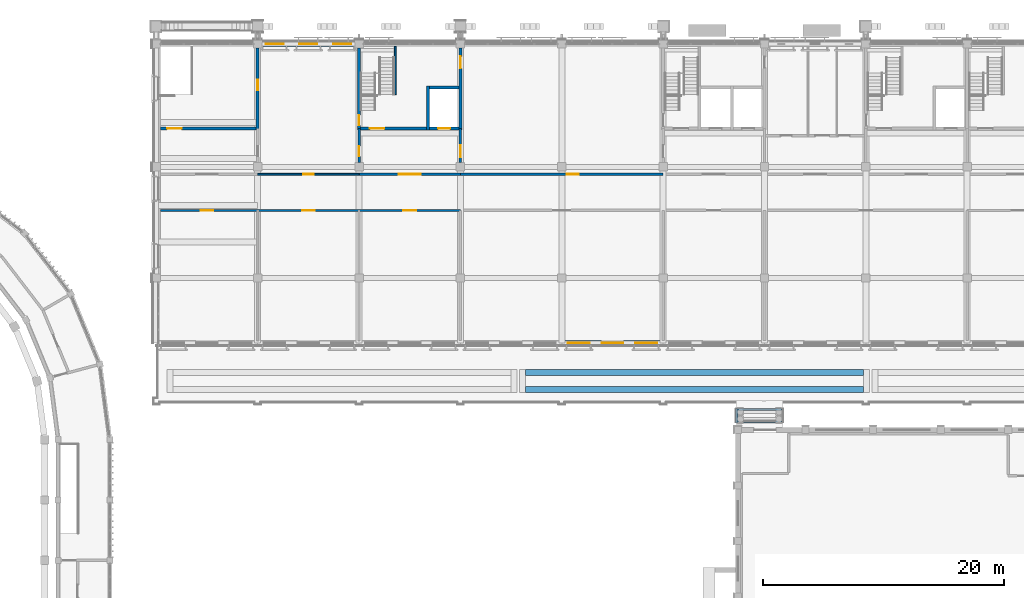
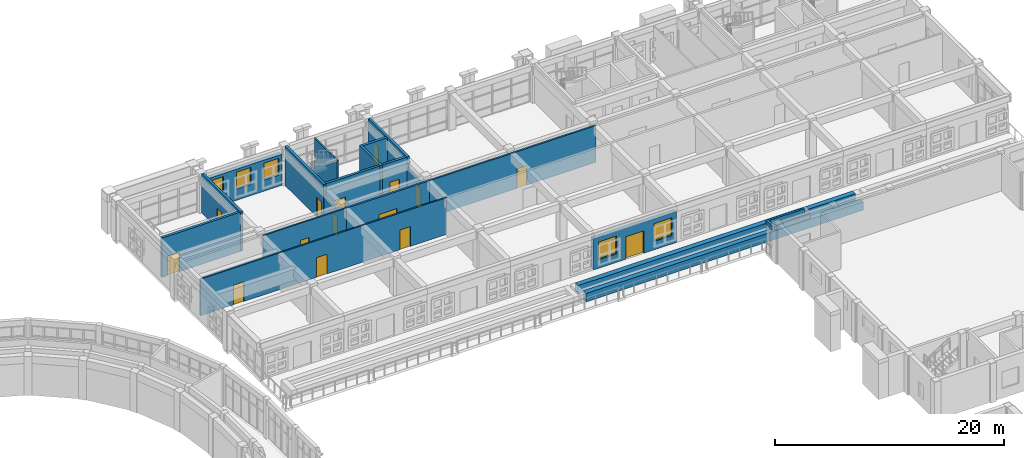
# One storey, part 64 of 99: 22 walls, 15 doors, 5 windows, 20 openings.
"""IFC4 building model written with IfcOpenShell, lengths in metres."""

from ifc_helpers import new_model, si_unit, direction, frame, frame_2d, origin, place, context, subcontext, project, spatial, rectangle, extrude, material, layer, layer_set, type_object, element, fill, save


model = new_model("IFC4")

# Units and contexts
model_context = context("Model", 3, precision=1e-05, world=origin(), true_north=direction((0.0, 1.0)))
body_context = subcontext(model_context, "Body", "Model", "MODEL_VIEW")
ifc_project = project(units=[si_unit("LENGTHUNIT", "METRE"), si_unit("AREAUNIT", "SQUARE_METRE"), si_unit("VOLUMEUNIT", "CUBIC_METRE"), si_unit("PLANEANGLEUNIT", "RADIAN"), si_unit("MASSUNIT", "GRAM", prefix="KILO")], contexts=[model_context])

# Site, building, storey
site_placement = place(None, origin())
site = spatial("IfcSite", under=ifc_project, at=site_placement, CompositionType="ELEMENT")
building_placement = place(site_placement, origin())
building = spatial("IfcBuilding", under=site, at=building_placement, Name="Wasatch Bagh Community Centre", CompositionType="ELEMENT")
storey_placement = place(building_placement, frame((0.0, 0.0, 4.199951171875)))
storey = spatial("IfcBuildingStorey", under=building, at=storey_placement, Name="L01", CompositionType="ELEMENT", Elevation=4.199951171875)

# Wall, opening, door
ifc_material_1 = material(Name="Concrete C40", Category="concrete")
ifc_layer_1 = layer(ifc_material_1, 0.25)
ifc_layer_set_1 = layer_set([ifc_layer_1], Name="Concrete C40")
wall_type_1 = type_object("IfcWallType", Name="LW core wall 250", PredefinedType="SHEAR", material=ifc_layer_set_1)
wall_1_placement = place(storey_placement, frame((64.35009765625, 90.800048828125, 0.0), z_axis=(0.0, 0.0, 1.0), x_axis=(1.0, 0.0, 0.0)))
wall_1 = element("IfcWall", 1, at=wall_1_placement, inside=storey, type_object=wall_type_1, Name="LW.swall.L01.01", PredefinedType="SHEAR", context=body_context, shape_type="SweptSolid", body=[
    extrude(rectangle(XDim=7.9248046875, YDim=0.25, at=frame_2d((3.96240234375, 0.0))), origin(), (0.0, 0.0, 1.0), 4.199951171875),
])
opening_1_placement = place(wall_1_placement, frame((0.550048828125, 0.0, 0.0)))
opening_1 = element("IfcOpeningElement", 2, at=opening_1_placement, cuts=wall_1, Name="Opening 1L-38", PredefinedType="OPENING", context=body_context, shape_type="SweptSolid", body=[
    extrude(rectangle(XDim=1.199951171875, YDim=2.10009765625, at=frame_2d((0.60009765625, 1.050048828125))), frame((0.0, 0.135009765625, 0.0), z_axis=(0.0, -1.0, 0.0), x_axis=(1.0, 0.0, 0.0)), (0.0, 0.0, 1.0), 0.27001953125),
])
ifc_material_2 = material(Name="Painted timber", Category="wood")
door_type_1 = type_object("IfcDoorType", Name="LW stair door 1200x2100", OperationType="SINGLE_SWING_LEFT", PredefinedType="DOOR", material=ifc_material_2)
door_1_placement = place(opening_1_placement, origin())
door_1 = element("IfcDoor", 3, at=door_1_placement, inside=storey, type_object=door_type_1, Name="Stair door 1L-38", OperationType="SINGLE_SWING_RIGHT", OverallHeight=2.10009765625, OverallWidth=1.199951171875, PredefinedType="DOOR", context=body_context, shape_type="SweptSolid", body=[
    extrude(rectangle(XDim=1.199951171875, YDim=2.10009765625, at=frame_2d((0.60009765625, 1.050048828125))), frame((0.0, 0.02490234375, 0.0), z_axis=(0.0, -1.0, 0.0), x_axis=(1.0, 0.0, 0.0)), (0.0, 0.0, 1.0), 0.050048828125),
])
fill(opening_1, door_1)

wall_2_placement = place(storey_placement, frame((80.925048828125, 90.800048828125, 0.0), z_axis=(0.0, 0.0, 1.0), x_axis=(1.0, 0.0, 0.0)))
wall_2 = element("IfcWall", 4, at=wall_2_placement, inside=storey, type_object=wall_type_1, Name="LW.swall.L01.02", PredefinedType="SHEAR", context=body_context, shape_type="SweptSolid", body=[
    extrude(rectangle(XDim=5.449951171875, YDim=0.25, at=frame_2d((2.72509765625, 0.0))), origin(), (0.0, 0.0, 1.0), 4.199951171875),
])
opening_2_placement = place(wall_2_placement, frame((0.77490234375, 0.0, 0.0)))
opening_2 = element("IfcOpeningElement", 5, at=opening_2_placement, cuts=wall_2, Name="Opening 1L-39", PredefinedType="OPENING", context=body_context, shape_type="SweptSolid", body=[
    extrude(rectangle(XDim=1.199951171875, YDim=2.10009765625, at=frame_2d((0.60009765625, 1.050048828125))), frame((0.0, 0.135009765625, 0.0), z_axis=(0.0, -1.0, 0.0), x_axis=(1.0, 0.0, 0.0)), (0.0, 0.0, 1.0), 0.27001953125),
])
door_2_placement = place(opening_2_placement, origin())
door_2 = element("IfcDoor", 6, at=door_2_placement, inside=storey, type_object=door_type_1, Name="Stair door 1L-39", OperationType="SINGLE_SWING_LEFT", OverallHeight=2.10009765625, OverallWidth=1.199951171875, PredefinedType="DOOR", context=body_context, shape_type="SweptSolid", body=[
    extrude(rectangle(XDim=1.199951171875, YDim=2.10009765625, at=frame_2d((0.60009765625, 1.050048828125))), frame((0.0, 0.02490234375, 0.0), z_axis=(0.0, -1.0, 0.0), x_axis=(1.0, 0.0, 0.0)), (0.0, 0.0, 1.0), 0.050048828125),
])
fill(opening_2, door_2)

wall_3_placement = place(storey_placement, frame((86.625, 90.800048828125, 0.0), z_axis=(0.0, 0.0, 1.0), x_axis=(1.0, 0.0, 0.0)))
wall_3 = element("IfcWall", 7, at=wall_3_placement, inside=storey, type_object=wall_type_1, Name="LW.swall.L01.03", PredefinedType="SHEAR", context=body_context, shape_type="SweptSolid", body=[
    extrude(rectangle(XDim=2.449951171875, YDim=0.25, at=frame_2d((1.22509765625, 0.0))), origin(), (0.0, 0.0, 1.0), 4.199951171875),
])
opening_3_placement = place(wall_3_placement, frame((0.72509765625, 0.0, 0.0)))
opening_3 = element("IfcOpeningElement", 8, at=opening_3_placement, cuts=wall_3, Name="Opening 1L-40", PredefinedType="OPENING", context=body_context, shape_type="SweptSolid", body=[
    extrude(rectangle(XDim=1.0, YDim=2.10009765625, at=frame_2d((0.5, 1.050048828125))), frame((0.0, 0.135009765625, 0.0), z_axis=(0.0, -1.0, 0.0), x_axis=(1.0, 0.0, 0.0)), (0.0, 0.0, 1.0), 0.27001953125),
])
ifc_material_3 = material(Name="Stainless steel landing door", Category="steel")
door_type_2 = type_object("IfcDoorType", Name="Lift landing door 1000 x 2100", OperationType="SLIDING_TO_LEFT", PredefinedType="DOOR", material=ifc_material_3)
door_3_placement = place(opening_3_placement, origin())
door_3 = element("IfcDoor", 9, at=door_3_placement, inside=storey, type_object=door_type_2, Name="Lift landing door LD 1L-40", OperationType="SLIDING_TO_LEFT", OverallHeight=2.10009765625, OverallWidth=1.0, PredefinedType="DOOR", context=body_context, shape_type="SweptSolid", body=[
    extrude(rectangle(XDim=1.0, YDim=2.10009765625, at=frame_2d((0.5, 1.050048828125))), frame((0.0, 0.02490234375, 0.0), z_axis=(0.0, -1.0, 0.0), x_axis=(1.0, 0.0, 0.0)), (0.0, 0.0, 1.0), 0.050048828125),
])
fill(opening_3, door_3)

# Wall
wall_4_placement = place(storey_placement, frame((86.625, 94.199951171875, 0.0), z_axis=(0.0, 0.0, 1.0), x_axis=(1.0, 0.0, 0.0)))
element("IfcWall", 10, at=wall_4_placement, inside=storey, type_object=wall_type_1, Name="LW.swall.L01.10", PredefinedType="SHEAR", context=body_context, shape_type="SweptSolid", body=[
    extrude(rectangle(XDim=2.449951171875, YDim=0.25, at=frame_2d((1.22509765625, 0.0))), origin(), (0.0, 0.0, 1.0), 4.199951171875),
])

# Wall, opening, door
wall_5_placement = place(storey_placement, frame((72.39990234375, 90.675048828125, 0.0), z_axis=(0.0, 0.0, 1.0), x_axis=(0.0, 1.0, 0.0)))
wall_5 = element("IfcWall", 11, at=wall_5_placement, inside=storey, type_object=wall_type_1, Name="LW.swall.L01.16", PredefinedType="SHEAR", context=body_context, shape_type="SweptSolid", body=[
    extrude(rectangle(XDim=6.77490234375, YDim=0.25, at=frame_2d((3.387451171875, 0.0))), origin(), (0.0, 0.0, 1.0), 4.199951171875),
])
opening_4_placement = place(wall_5_placement, frame((3.300048828125, 0.0, 0.0)))
opening_4 = element("IfcOpeningElement", 12, at=opening_4_placement, cuts=wall_5, Name="Opening 1L-19", PredefinedType="OPENING", context=body_context, shape_type="SweptSolid", body=[
    extrude(rectangle(XDim=0.85009765625, YDim=2.10009765625, at=frame_2d((0.425048828125, 1.050048828125))), frame((0.0, 0.135009765625, 0.0), z_axis=(0.0, -1.0, 0.0), x_axis=(1.0, 0.0, 0.0)), (0.0, 0.0, 1.0), 0.27001953125),
])
door_type_3 = type_object("IfcDoorType", Name="LW office door 850x2100", OperationType="SINGLE_SWING_LEFT", PredefinedType="DOOR", material=ifc_material_2)
door_4_placement = place(opening_4_placement, origin())
door_4 = element("IfcDoor", 13, at=door_4_placement, inside=storey, type_object=door_type_3, Name="Door Teachers' Staff Room 1L-19", OperationType="SINGLE_SWING_LEFT", OverallHeight=2.10009765625, OverallWidth=0.85009765625, PredefinedType="DOOR", context=body_context, shape_type="SweptSolid", body=[
    extrude(rectangle(XDim=0.85009765625, YDim=2.10009765625, at=frame_2d((0.425048828125, 1.050048828125))), frame((0.0, 0.02490234375, 0.0), z_axis=(0.0, -1.0, 0.0), x_axis=(1.0, 0.0, 0.0)), (0.0, 0.0, 1.0), 0.050048828125),
])
fill(opening_4, door_4)

wall_6_placement = place(storey_placement, frame((80.800048828125, 90.675048828125, 0.0), z_axis=(0.0, 0.0, 1.0), x_axis=(0.0, 1.0, 0.0)))
wall_6 = element("IfcWall", 14, at=wall_6_placement, inside=storey, type_object=wall_type_1, Name="LW.swall.L01.17", PredefinedType="SHEAR", context=body_context, shape_type="SweptSolid", body=[
    extrude(rectangle(XDim=6.77490234375, YDim=0.25, at=frame_2d((3.387451171875, 0.0))), origin(), (0.0, 0.0, 1.0), 4.199951171875),
])
opening_5_placement = place(wall_6_placement, frame((0.375, 0.0, 0.0)))
opening_5 = element("IfcOpeningElement", 15, at=opening_5_placement, cuts=wall_6, Name="Opening 1L-21", PredefinedType="OPENING", context=body_context, shape_type="SweptSolid", body=[
    extrude(rectangle(XDim=0.85009765625, YDim=2.10009765625, at=frame_2d((0.425048828125, 1.050048828125))), frame((0.0, 0.135009765625, 0.0), z_axis=(0.0, -1.0, 0.0), x_axis=(1.0, 0.0, 0.0)), (0.0, 0.0, 1.0), 0.27001953125),
])
door_5_placement = place(opening_5_placement, origin())
door_5 = element("IfcDoor", 16, at=door_5_placement, inside=storey, type_object=door_type_3, Name="Door Teachers' Staff Room 1L-21", OperationType="SINGLE_SWING_LEFT", OverallHeight=2.10009765625, OverallWidth=0.85009765625, PredefinedType="DOOR", context=body_context, shape_type="SweptSolid", body=[
    extrude(rectangle(XDim=0.85009765625, YDim=2.10009765625, at=frame_2d((0.425048828125, 1.050048828125))), frame((0.0, 0.02490234375, 0.0), z_axis=(0.0, -1.0, 0.0), x_axis=(1.0, 0.0, 0.0)), (0.0, 0.0, 1.0), 0.050048828125),
])
fill(opening_5, door_5)

# Wall
wall_7_placement = place(storey_placement, frame((86.5, 90.675048828125, 0.0), z_axis=(0.0, 0.0, 1.0), x_axis=(0.0, 1.0, 0.0)))
element("IfcWall", 17, at=wall_7_placement, inside=storey, type_object=wall_type_1, Name="LW.swall.L01.18", PredefinedType="SHEAR", context=body_context, shape_type="SweptSolid", body=[
    extrude(rectangle(XDim=3.64990234375, YDim=0.25, at=frame_2d((1.824951171875, 0.0))), origin(), (0.0, 0.0, 1.0), 4.199951171875),
])

# Wall, opening, door
wall_8_placement = place(storey_placement, frame((89.199951171875, 90.675048828125, 0.0), z_axis=(0.0, 0.0, 1.0), x_axis=(0.0, 1.0, 0.0)))
wall_8 = element("IfcWall", 18, at=wall_8_placement, inside=storey, type_object=wall_type_1, Name="LW.swall.L01.19", PredefinedType="SHEAR", context=body_context, shape_type="SweptSolid", body=[
    extrude(rectangle(XDim=6.77490234375, YDim=0.25, at=frame_2d((3.387451171875, 0.0))), origin(), (0.0, 0.0, 1.0), 4.199951171875),
])
opening_6_placement = place(wall_8_placement, frame((5.10009765625, 0.0, 0.0)))
opening_6 = element("IfcOpeningElement", 19, at=opening_6_placement, cuts=wall_8, Name="Opening 1L-24", PredefinedType="OPENING", context=body_context, shape_type="SweptSolid", body=[
    extrude(rectangle(XDim=1.0, YDim=2.10009765625, at=frame_2d((0.5, 1.050048828125))), frame((0.0, 0.135009765625, 0.0), z_axis=(0.0, -1.0, 0.0), x_axis=(1.0, 0.0, 0.0)), (0.0, 0.0, 1.0), 0.27001953125),
])
door_type_4 = type_object("IfcDoorType", Name="LW door 1000x2100", OperationType="SINGLE_SWING_LEFT", PredefinedType="DOOR", material=ifc_material_2)
door_6_placement = place(opening_6_placement, origin())
door_6 = element("IfcDoor", 20, at=door_6_placement, inside=storey, type_object=door_type_4, Name="Door Library Study Room 1L-24", OperationType="SINGLE_SWING_RIGHT", OverallHeight=2.10009765625, OverallWidth=1.0, PredefinedType="DOOR", context=body_context, shape_type="SweptSolid", body=[
    extrude(rectangle(XDim=1.0, YDim=2.10009765625, at=frame_2d((0.5, 1.050048828125))), frame((0.0, 0.02490234375, 0.0), z_axis=(0.0, -1.0, 0.0), x_axis=(1.0, 0.0, 0.0)), (0.0, 0.0, 1.0), 0.050048828125),
])
fill(opening_6, door_6)

# Wall, openings, door, windows
ifc_material_4 = material(Name="Concrete C35", Category="concrete")
ifc_layer_2 = layer(ifc_material_4, 0.39990234375)
ifc_layer_set_2 = layer_set([ifc_layer_2], Name="Concrete C35")
wall_type_2 = type_object("IfcWallType", Name="LW facade wall 400", PredefinedType="SOLIDWALL", material=ifc_layer_set_2)
wall_9_placement = place(storey_placement, frame((97.60009765625, 73.0, 0.0), z_axis=(0.0, 0.0, 1.0), x_axis=(1.0, 0.0, 0.0)))
wall_9 = element("IfcWall", 21, at=wall_9_placement, inside=storey, type_object=wall_type_2, Name="Facade wall", PredefinedType="SOLIDWALL", context=body_context, shape_type="SweptSolid", body=[
    extrude(rectangle(XDim=8.39990234375, YDim=0.39990234375, at=frame_2d((4.199951171875, 0.0))), origin(), (0.0, 0.0, 1.0), 3.320068359375),
])
opening_7_placement = place(wall_9_placement, frame((3.300048828125, 0.0, 0.0)))
opening_7 = element("IfcOpeningElement", 22, at=opening_7_placement, cuts=wall_9, Name="Opening 1L-05", PredefinedType="OPENING", context=body_context, shape_type="SweptSolid", body=[
    extrude(rectangle(XDim=1.800048828125, YDim=2.39990234375, at=frame_2d((0.89990234375, 1.199951171875))), frame((0.0, 0.2099609375, 0.0), z_axis=(0.0, -1.0, 0.0), x_axis=(1.0, 0.0, 0.0)), (0.0, 0.0, 1.0), 0.419921875),
])
opening_8_placement = place(wall_9_placement, frame((0.5, 0.0, 0.89990234375)))
opening_8 = element("IfcOpeningElement", 23, at=opening_8_placement, cuts=wall_9, Name="Opening 1L-W009", PredefinedType="OPENING", context=body_context, shape_type="SweptSolid", body=[
    extrude(rectangle(XDim=1.800048828125, YDim=1.89990234375, at=frame_2d((0.89990234375, 0.949951171875))), frame((0.0, 0.2099609375, 0.0), z_axis=(0.0, -1.0, 0.0), x_axis=(1.0, 0.0, 0.0)), (0.0, 0.0, 1.0), 0.419921875),
])
opening_9_placement = place(wall_9_placement, frame((6.10009765625, 0.0, 0.89990234375)))
opening_9 = element("IfcOpeningElement", 24, at=opening_9_placement, cuts=wall_9, Name="Opening 1L-W010", PredefinedType="OPENING", context=body_context, shape_type="SweptSolid", body=[
    extrude(rectangle(XDim=1.800048828125, YDim=1.89990234375, at=frame_2d((0.89990234375, 0.949951171875))), frame((0.0, 0.2099609375, 0.0), z_axis=(0.0, -1.0, 0.0), x_axis=(1.0, 0.0, 0.0)), (0.0, 0.0, 1.0), 0.419921875),
])
ifc_material_5 = material(Name="Aluminium framed glazed door", Category="aluminium")
door_type_5 = type_object("IfcDoorType", Name="LW terrace door pair 1800x2400", OperationType="DOUBLE_DOOR_SINGLE_SWING", PredefinedType="DOOR", material=ifc_material_5)
door_7_placement = place(opening_7_placement, origin())
door_7 = element("IfcDoor", 25, at=door_7_placement, inside=storey, type_object=door_type_5, Name="Terrace door 1L-05", OperationType="DOUBLE_DOOR_SINGLE_SWING", OverallHeight=2.39990234375, OverallWidth=1.800048828125, PredefinedType="DOOR", context=body_context, shape_type="SweptSolid", body=[
    extrude(rectangle(XDim=1.800048828125, YDim=2.39990234375, at=frame_2d((0.89990234375, 1.199951171875))), frame((0.0, 0.02490234375, 0.0), z_axis=(0.0, -1.0, 0.0), x_axis=(1.0, 0.0, 0.0)), (0.0, 0.0, 1.0), 0.050048828125),
])
fill(opening_7, door_7)
ifc_material_6 = material(Name="Aluminium framed double glazing", Category="aluminium")
window_type_1 = type_object("IfcWindowType", Name="LW window 1800x1900", PartitioningType="SINGLE_PANEL", PredefinedType="WINDOW", material=ifc_material_6)
window_1_placement = place(opening_8_placement, origin())
window_1 = element("IfcWindow", 26, at=window_1_placement, inside=storey, type_object=window_type_1, Name="Window 1L-W009", OverallHeight=1.89990234375, OverallWidth=1.800048828125, PartitioningType="SINGLE_PANEL", PredefinedType="WINDOW", context=body_context, shape_type="SweptSolid", body=[
    extrude(rectangle(XDim=1.800048828125, YDim=1.89990234375, at=frame_2d((0.89990234375, 0.949951171875))), frame((0.0, 0.030029296875, 0.0), z_axis=(0.0, -1.0, 0.0), x_axis=(1.0, 0.0, 0.0)), (0.0, 0.0, 1.0), 0.06005859375),
])
fill(opening_8, window_1)
window_2_placement = place(opening_9_placement, origin())
window_2 = element("IfcWindow", 27, at=window_2_placement, inside=storey, type_object=window_type_1, Name="Window 1L-W010", OverallHeight=1.89990234375, OverallWidth=1.800048828125, PartitioningType="SINGLE_PANEL", PredefinedType="WINDOW", context=body_context, shape_type="SweptSolid", body=[
    extrude(rectangle(XDim=1.800048828125, YDim=1.89990234375, at=frame_2d((0.89990234375, 0.949951171875))), frame((0.0, 0.030029296875, 0.0), z_axis=(0.0, -1.0, 0.0), x_axis=(1.0, 0.0, 0.0)), (0.0, 0.0, 1.0), 0.06005859375),
])
fill(opening_9, window_2)

# Wall, openings, windows
wall_10_placement = place(storey_placement, frame((72.75, 97.800048828125, 0.0), z_axis=(0.0, 0.0, 1.0), x_axis=(1.0, 0.0, 0.0)))
wall_10 = element("IfcWall", 28, at=wall_10_placement, inside=storey, type_object=wall_type_2, Name="Facade wall", PredefinedType="SOLIDWALL", context=body_context, shape_type="SweptSolid", body=[
    extrude(rectangle(XDim=7.699951171875, YDim=0.39990234375, at=frame_2d((3.85009765625, 0.0))), origin(), (0.0, 0.0, 1.0), 3.320068359375),
])
opening_10_placement = place(wall_10_placement, frame((0.300048828125, 0.0, 1.199951171875)))
opening_10 = element("IfcOpeningElement", 29, at=opening_10_placement, cuts=wall_10, Name="Opening 1L-W019", PredefinedType="OPENING", context=body_context, shape_type="SweptSolid", body=[
    extrude(rectangle(XDim=1.5, YDim=1.800048828125, at=frame_2d((0.75, 0.89990234375))), frame((0.0, 0.2099609375, 0.0), z_axis=(0.0, -1.0, 0.0), x_axis=(1.0, 0.0, 0.0)), (0.0, 0.0, 1.0), 0.419921875),
])
opening_11_placement = place(wall_10_placement, frame((3.10009765625, 0.0, 1.199951171875)))
opening_11 = element("IfcOpeningElement", 30, at=opening_11_placement, cuts=wall_10, Name="Opening 1L-W020", PredefinedType="OPENING", context=body_context, shape_type="SweptSolid", body=[
    extrude(rectangle(XDim=1.5, YDim=1.800048828125, at=frame_2d((0.75, 0.89990234375))), frame((0.0, 0.2099609375, 0.0), z_axis=(0.0, -1.0, 0.0), x_axis=(1.0, 0.0, 0.0)), (0.0, 0.0, 1.0), 0.419921875),
])
opening_12_placement = place(wall_10_placement, frame((5.89990234375, 0.0, 1.199951171875)))
opening_12 = element("IfcOpeningElement", 31, at=opening_12_placement, cuts=wall_10, Name="Opening 1L-W021", PredefinedType="OPENING", context=body_context, shape_type="SweptSolid", body=[
    extrude(rectangle(XDim=1.5, YDim=1.800048828125, at=frame_2d((0.75, 0.89990234375))), frame((0.0, 0.2099609375, 0.0), z_axis=(0.0, -1.0, 0.0), x_axis=(1.0, 0.0, 0.0)), (0.0, 0.0, 1.0), 0.419921875),
])
window_type_2 = type_object("IfcWindowType", Name="LW office window 1500x1800", PartitioningType="SINGLE_PANEL", PredefinedType="WINDOW", material=ifc_material_6)
window_3_placement = place(opening_10_placement, origin())
window_3 = element("IfcWindow", 32, at=window_3_placement, inside=storey, type_object=window_type_2, Name="Window 1L-W019", OverallHeight=1.800048828125, OverallWidth=1.5, PartitioningType="SINGLE_PANEL", PredefinedType="WINDOW", context=body_context, shape_type="SweptSolid", body=[
    extrude(rectangle(XDim=1.5, YDim=1.800048828125, at=frame_2d((0.75, 0.89990234375))), frame((0.0, 0.030029296875, 0.0), z_axis=(0.0, -1.0, 0.0), x_axis=(1.0, 0.0, 0.0)), (0.0, 0.0, 1.0), 0.06005859375),
])
fill(opening_10, window_3)
window_4_placement = place(opening_11_placement, origin())
window_4 = element("IfcWindow", 33, at=window_4_placement, inside=storey, type_object=window_type_2, Name="Window 1L-W020", OverallHeight=1.800048828125, OverallWidth=1.5, PartitioningType="SINGLE_PANEL", PredefinedType="WINDOW", context=body_context, shape_type="SweptSolid", body=[
    extrude(rectangle(XDim=1.5, YDim=1.800048828125, at=frame_2d((0.75, 0.89990234375))), frame((0.0, 0.030029296875, 0.0), z_axis=(0.0, -1.0, 0.0), x_axis=(1.0, 0.0, 0.0)), (0.0, 0.0, 1.0), 0.06005859375),
])
fill(opening_11, window_4)
window_5_placement = place(opening_12_placement, origin())
window_5 = element("IfcWindow", 34, at=window_5_placement, inside=storey, type_object=window_type_2, Name="Window 1L-W021", OverallHeight=1.800048828125, OverallWidth=1.5, PartitioningType="SINGLE_PANEL", PredefinedType="WINDOW", context=body_context, shape_type="SweptSolid", body=[
    extrude(rectangle(XDim=1.5, YDim=1.800048828125, at=frame_2d((0.75, 0.89990234375))), frame((0.0, 0.030029296875, 0.0), z_axis=(0.0, -1.0, 0.0), x_axis=(1.0, 0.0, 0.0)), (0.0, 0.0, 1.0), 0.06005859375),
])
fill(opening_12, window_5)

# Wall, opening, door
ifc_material_7 = material(Name="Blockwork fire partition", Category="masonry")
ifc_layer_3 = layer(ifc_material_7, 0.199951171875)
ifc_layer_set_3 = layer_set([ifc_layer_3], Name="Blockwork fire partition")
wall_type_3 = type_object("IfcWallType", Name="LW fire partition 200", PredefinedType="PARTITIONING", material=ifc_layer_set_3)
wall_11_placement = place(storey_placement, frame((80.800048828125, 87.0, 0.0), z_axis=(0.0, 0.0, 1.0), x_axis=(1.0, 0.0, 0.0)))
wall_11 = element("IfcWall", 35, at=wall_11_placement, inside=storey, type_object=wall_type_3, Name="LW.part.L01.005", PredefinedType="PARTITIONING", context=body_context, shape_type="SweptSolid", body=[
    extrude(rectangle(XDim=8.39990234375, YDim=0.199951171875, at=frame_2d((4.199951171875, 0.0))), origin(), (0.0, 0.0, 1.0), 3.920166015625),
])
opening_13_placement = place(wall_11_placement, frame((3.300048828125, 0.0, 0.0)))
opening_13 = element("IfcOpeningElement", 36, at=opening_13_placement, cuts=wall_11, Name="Opening 1L-33", PredefinedType="OPENING", context=body_context, shape_type="SweptSolid", body=[
    extrude(rectangle(XDim=1.800048828125, YDim=2.10009765625, at=frame_2d((0.89990234375, 1.050048828125))), frame((0.0, 0.10986328125, 0.0), z_axis=(0.0, -1.0, 0.0), x_axis=(1.0, 0.0, 0.0)), (0.0, 0.0, 1.0), 0.219970703125),
])
door_type_6 = type_object("IfcDoorType", Name="LW door pair 1800x2100", OperationType="DOUBLE_DOOR_SINGLE_SWING", PredefinedType="DOOR", material=ifc_material_2)
door_8_placement = place(opening_13_placement, origin())
door_8 = element("IfcDoor", 37, at=door_8_placement, inside=storey, type_object=door_type_6, Name="Door Core Lobby C1 1L-33", OperationType="DOUBLE_DOOR_SINGLE_SWING", OverallHeight=2.10009765625, OverallWidth=1.800048828125, PredefinedType="DOOR", context=body_context, shape_type="SweptSolid", body=[
    extrude(rectangle(XDim=1.800048828125, YDim=2.10009765625, at=frame_2d((0.89990234375, 1.050048828125))), frame((0.0, 0.02490234375, 0.0), z_axis=(0.0, -1.0, 0.0), x_axis=(1.0, 0.0, 0.0)), (0.0, 0.0, 1.0), 0.050048828125),
])
fill(opening_13, door_8)

wall_12_placement = place(storey_placement, frame((80.800048828125, 87.949951171875, 0.0), z_axis=(0.0, 0.0, 1.0), x_axis=(0.0, 1.0, 0.0)))
wall_12 = element("IfcWall", 38, at=wall_12_placement, inside=storey, type_object=wall_type_3, Name="LW.part.L01.013", PredefinedType="PARTITIONING", context=body_context, shape_type="SweptSolid", body=[
    extrude(rectangle(XDim=2.85009765625, YDim=0.199951171875, at=frame_2d((1.425048828125, 0.0))), origin(), (0.0, 0.0, 1.0), 3.02001953125),
])
opening_14_placement = place(wall_12_placement, frame((0.52490234375, 0.0, 0.0)))
opening_14 = element("IfcOpeningElement", 39, at=opening_14_placement, cuts=wall_12, Name="Opening 1L-20", PredefinedType="OPENING", context=body_context, shape_type="SweptSolid", body=[
    extrude(rectangle(XDim=0.85009765625, YDim=2.10009765625, at=frame_2d((0.425048828125, 1.050048828125))), frame((0.0, 0.10986328125, 0.0), z_axis=(0.0, -1.0, 0.0), x_axis=(1.0, 0.0, 0.0)), (0.0, 0.0, 1.0), 0.219970703125),
])
door_9_placement = place(opening_14_placement, origin())
door_9 = element("IfcDoor", 40, at=door_9_placement, inside=storey, type_object=door_type_3, Name="Door Teachers' Staff Room 1L-20", OperationType="SINGLE_SWING_RIGHT", OverallHeight=2.10009765625, OverallWidth=0.85009765625, PredefinedType="DOOR", context=body_context, shape_type="SweptSolid", body=[
    extrude(rectangle(XDim=0.85009765625, YDim=2.10009765625, at=frame_2d((0.425048828125, 1.050048828125))), frame((0.0, 0.02490234375, 0.0), z_axis=(0.0, -1.0, 0.0), x_axis=(1.0, 0.0, 0.0)), (0.0, 0.0, 1.0), 0.050048828125),
])
fill(opening_14, door_9)

wall_13_placement = place(storey_placement, frame((89.199951171875, 87.949951171875, 0.0), z_axis=(0.0, 0.0, 1.0), x_axis=(0.0, 1.0, 0.0)))
wall_13 = element("IfcWall", 41, at=wall_13_placement, inside=storey, type_object=wall_type_3, Name="LW.part.L01.016", PredefinedType="PARTITIONING", context=body_context, shape_type="SweptSolid", body=[
    extrude(rectangle(XDim=2.85009765625, YDim=0.199951171875, at=frame_2d((1.425048828125, 0.0))), origin(), (0.0, 0.0, 1.0), 3.02001953125),
])
opening_15_placement = place(wall_13_placement, frame((0.449951171875, 0.0, 0.0)))
opening_15 = element("IfcOpeningElement", 42, at=opening_15_placement, cuts=wall_13, Name="Opening 1L-23", PredefinedType="OPENING", context=body_context, shape_type="SweptSolid", body=[
    extrude(rectangle(XDim=1.0, YDim=2.10009765625, at=frame_2d((0.5, 1.050048828125))), frame((0.0, 0.10986328125, 0.0), z_axis=(0.0, -1.0, 0.0), x_axis=(1.0, 0.0, 0.0)), (0.0, 0.0, 1.0), 0.219970703125),
])
door_10_placement = place(opening_15_placement, origin())
door_10 = element("IfcDoor", 43, at=door_10_placement, inside=storey, type_object=door_type_4, Name="Door Library Study Room 1L-23", OperationType="SINGLE_SWING_LEFT", OverallHeight=2.10009765625, OverallWidth=1.0, PredefinedType="DOOR", context=body_context, shape_type="SweptSolid", body=[
    extrude(rectangle(XDim=1.0, YDim=2.10009765625, at=frame_2d((0.5, 1.050048828125))), frame((0.0, 0.02490234375, 0.0), z_axis=(0.0, -1.0, 0.0), x_axis=(1.0, 0.0, 0.0)), (0.0, 0.0, 1.0), 0.050048828125),
])
fill(opening_15, door_10)

ifc_material_8 = material(Name="Dense blockwork acoustic partition", Category="masonry")
ifc_layer_4 = layer(ifc_material_8, 0.175048828125)
ifc_layer_set_4 = layer_set([ifc_layer_4], Name="Dense blockwork acoustic partition")
wall_type_4 = type_object("IfcWallType", Name="LW library partition 175", PredefinedType="PARTITIONING", material=ifc_layer_set_4)
wall_14_placement = place(storey_placement, frame((89.199951171875, 87.0, 0.0), z_axis=(0.0, 0.0, 1.0), x_axis=(1.0, 0.0, 0.0)))
wall_14 = element("IfcWall", 44, at=wall_14_placement, inside=storey, type_object=wall_type_4, Name="LW.part.L01.007", PredefinedType="PARTITIONING", context=body_context, shape_type="SweptSolid", body=[
    extrude(rectangle(XDim=16.800048828125, YDim=0.175048828125, at=frame_2d((8.39990234375, 0.0))), origin(), (0.0, 0.0, 1.0), 3.920166015625),
])
opening_16_placement = place(wall_14_placement, frame((8.800048828125, 0.0, 0.0)))
opening_16 = element("IfcOpeningElement", 45, at=opening_16_placement, cuts=wall_14, Name="Opening 1L-22", PredefinedType="OPENING", context=body_context, shape_type="SweptSolid", body=[
    extrude(rectangle(XDim=1.0, YDim=2.10009765625, at=frame_2d((0.5, 1.050048828125))), frame((0.0, 0.097412109375, 0.0), z_axis=(0.0, -1.0, 0.0), x_axis=(1.0, 0.0, 0.0)), (0.0, 0.0, 1.0), 0.195068359375),
])
door_11_placement = place(opening_16_placement, origin())
door_11 = element("IfcDoor", 46, at=door_11_placement, inside=storey, type_object=door_type_4, Name="Door Library Study Room 1L-22", OperationType="SINGLE_SWING_RIGHT", OverallHeight=2.10009765625, OverallWidth=1.0, PredefinedType="DOOR", context=body_context, shape_type="SweptSolid", body=[
    extrude(rectangle(XDim=1.0, YDim=2.10009765625, at=frame_2d((0.5, 1.050048828125))), frame((0.0, 0.02490234375, 0.0), z_axis=(0.0, -1.0, 0.0), x_axis=(1.0, 0.0, 0.0)), (0.0, 0.0, 1.0), 0.050048828125),
])
fill(opening_16, door_11)

# Wall, openings, doors
ifc_material_9 = material(Name="Gypsum board on steel studs", Category="steel")
ifc_layer_5 = layer(ifc_material_9, 0.14990234375)
ifc_layer_set_5 = layer_set([ifc_layer_5], Name="Gypsum board on steel studs")
wall_type_5 = type_object("IfcWallType", Name="LW partition 150", PredefinedType="PARTITIONING", material=ifc_layer_set_5)
wall_15_placement = place(storey_placement, frame((64.35009765625, 84.0, 0.0), z_axis=(0.0, 0.0, 1.0), x_axis=(1.0, 0.0, 0.0)))
wall_15 = element("IfcWall", 47, at=wall_15_placement, inside=storey, type_object=wall_type_5, Name="LW.part.L01.002", PredefinedType="PARTITIONING", context=body_context, shape_type="SweptSolid", body=[
    extrude(rectangle(XDim=24.849853515625, YDim=0.14990234375, at=frame_2d((12.4248046875, 0.0))), origin(), (0.0, 0.0, 1.0), 3.920166015625),
])
opening_17_placement = place(wall_15_placement, frame((3.324951171875, 0.0, 0.0)))
opening_17 = element("IfcOpeningElement", 48, at=opening_17_placement, cuts=wall_15, Name="Opening 1L-10", PredefinedType="OPENING", context=body_context, shape_type="SweptSolid", body=[
    extrude(rectangle(XDim=1.050048828125, YDim=2.10009765625, at=frame_2d((0.52490234375, 1.050048828125))), frame((0.0, 0.0849609375, 0.0), z_axis=(0.0, -1.0, 0.0), x_axis=(1.0, 0.0, 0.0)), (0.0, 0.0, 1.0), 0.169921875),
])
opening_18_placement = place(wall_15_placement, frame((11.72509765625, 0.0, 0.0)))
opening_18 = element("IfcOpeningElement", 49, at=opening_18_placement, cuts=wall_15, Name="Opening 1L-11", PredefinedType="OPENING", context=body_context, shape_type="SweptSolid", body=[
    extrude(rectangle(XDim=1.050048828125, YDim=2.10009765625, at=frame_2d((0.52490234375, 1.050048828125))), frame((0.0, 0.0849609375, 0.0), z_axis=(0.0, -1.0, 0.0), x_axis=(1.0, 0.0, 0.0)), (0.0, 0.0, 1.0), 0.169921875),
])
opening_19_placement = place(wall_15_placement, frame((20.125, 0.0, 0.0)))
opening_19 = element("IfcOpeningElement", 50, at=opening_19_placement, cuts=wall_15, Name="Opening 1L-12", PredefinedType="OPENING", context=body_context, shape_type="SweptSolid", body=[
    extrude(rectangle(XDim=1.050048828125, YDim=2.10009765625, at=frame_2d((0.52490234375, 1.050048828125))), frame((0.0, 0.0849609375, 0.0), z_axis=(0.0, -1.0, 0.0), x_axis=(1.0, 0.0, 0.0)), (0.0, 0.0, 1.0), 0.169921875),
])
door_type_7 = type_object("IfcDoorType", Name="LW classroom door 1050x2100", OperationType="SINGLE_SWING_LEFT", PredefinedType="DOOR", material=ifc_material_2)
door_12_placement = place(opening_17_placement, origin())
door_12 = element("IfcDoor", 51, at=door_12_placement, inside=storey, type_object=door_type_7, Name="Door Classroom 3 1L-10", OperationType="SINGLE_SWING_RIGHT", OverallHeight=2.10009765625, OverallWidth=1.050048828125, PredefinedType="DOOR", context=body_context, shape_type="SweptSolid", body=[
    extrude(rectangle(XDim=1.050048828125, YDim=2.10009765625, at=frame_2d((0.52490234375, 1.050048828125))), frame((0.0, 0.02490234375, 0.0), z_axis=(0.0, -1.0, 0.0), x_axis=(1.0, 0.0, 0.0)), (0.0, 0.0, 1.0), 0.050048828125),
])
fill(opening_17, door_12)
door_13_placement = place(opening_18_placement, origin())
door_13 = element("IfcDoor", 52, at=door_13_placement, inside=storey, type_object=door_type_7, Name="Door Classroom 4 1L-11", OperationType="SINGLE_SWING_LEFT", OverallHeight=2.10009765625, OverallWidth=1.050048828125, PredefinedType="DOOR", context=body_context, shape_type="SweptSolid", body=[
    extrude(rectangle(XDim=1.050048828125, YDim=2.10009765625, at=frame_2d((0.52490234375, 1.050048828125))), frame((0.0, 0.02490234375, 0.0), z_axis=(0.0, -1.0, 0.0), x_axis=(1.0, 0.0, 0.0)), (0.0, 0.0, 1.0), 0.050048828125),
])
fill(opening_18, door_13)
door_14_placement = place(opening_19_placement, origin())
door_14 = element("IfcDoor", 53, at=door_14_placement, inside=storey, type_object=door_type_7, Name="Door Classroom 5 1L-12", OperationType="SINGLE_SWING_RIGHT", OverallHeight=2.10009765625, OverallWidth=1.050048828125, PredefinedType="DOOR", context=body_context, shape_type="SweptSolid", body=[
    extrude(rectangle(XDim=1.050048828125, YDim=2.10009765625, at=frame_2d((0.52490234375, 1.050048828125))), frame((0.0, 0.02490234375, 0.0), z_axis=(0.0, -1.0, 0.0), x_axis=(1.0, 0.0, 0.0)), (0.0, 0.0, 1.0), 0.050048828125),
])
fill(opening_19, door_14)

# Wall, opening, door
wall_16_placement = place(storey_placement, frame((72.39990234375, 87.0, 0.0), z_axis=(0.0, 0.0, 1.0), x_axis=(1.0, 0.0, 0.0)))
wall_16 = element("IfcWall", 54, at=wall_16_placement, inside=storey, type_object=wall_type_5, Name="LW.part.L01.008", PredefinedType="PARTITIONING", context=body_context, shape_type="SweptSolid", body=[
    extrude(rectangle(XDim=8.400146484375, YDim=0.14990234375, at=frame_2d((4.2001953125, 0.0))), origin(), (0.0, 0.0, 1.0), 3.920166015625),
])
opening_20_placement = place(wall_16_placement, frame((3.77490234375, 0.0, 0.0)))
opening_20 = element("IfcOpeningElement", 55, at=opening_20_placement, cuts=wall_16, Name="Opening 1L-17", PredefinedType="OPENING", context=body_context, shape_type="SweptSolid", body=[
    extrude(rectangle(XDim=0.85009765625, YDim=2.10009765625, at=frame_2d((0.425048828125, 1.050048828125))), frame((0.0, 0.0849609375, 0.0), z_axis=(0.0, -1.0, 0.0), x_axis=(1.0, 0.0, 0.0)), (0.0, 0.0, 1.0), 0.169921875),
])
door_15_placement = place(opening_20_placement, origin())
door_15 = element("IfcDoor", 56, at=door_15_placement, inside=storey, type_object=door_type_3, Name="Door Teachers' Staff Room 1L-17", OperationType="SINGLE_SWING_LEFT", OverallHeight=2.10009765625, OverallWidth=0.85009765625, PredefinedType="DOOR", context=body_context, shape_type="SweptSolid", body=[
    extrude(rectangle(XDim=0.85009765625, YDim=2.10009765625, at=frame_2d((0.425048828125, 1.050048828125))), frame((0.0, 0.02490234375, 0.0), z_axis=(0.0, -1.0, 0.0), x_axis=(1.0, 0.0, 0.0)), (0.0, 0.0, 1.0), 0.050048828125),
])
fill(opening_20, door_15)

# Walls
wall_17_placement = place(storey_placement, frame((83.800048828125, 93.60009765625, 0.0), z_axis=(0.0, 0.0, 1.0), x_axis=(0.0, 1.0, 0.0)))
element("IfcWall", 57, at=wall_17_placement, inside=storey, type_object=wall_type_5, Name="Stair compartment wall", PredefinedType="PARTITIONING", context=body_context, shape_type="SweptSolid", body=[
    extrude(rectangle(XDim=4.0, YDim=0.14990234375, at=frame_2d((2.0, 0.0))), origin(), (0.0, 0.0, 1.0), 3.920166015625),
])
ifc_layer_6 = layer(ifc_material_4, 0.5)
ifc_layer_set_6 = layer_set([ifc_layer_6], Name="Concrete C35")
wall_type_6 = type_object("IfcWallType", Name="LW planter trough wall 500", PredefinedType="SOLIDWALL", material=ifc_layer_set_6)
for number, where, z_axis, x_axis, name in (
    (58, (94.60009765625, 69.14990234375, 0.0), (0.0, 0.0, 1.0), (1.0, 0.0, 0.0), "Planter wall T1"),
    (59, (94.60009765625, 70.550048828125, 0.0), (0.0, 0.0, 1.0), (1.0, 0.0, 0.0), "Planter wall T1"),
):
    element("IfcWall", number, at=place(storey_placement, frame(where, z_axis=z_axis, x_axis=x_axis)), inside=storey, type_object=wall_type_6, Name=name, PredefinedType="SOLIDWALL", context=body_context, shape_type="SweptSolid", body=[
        extrude(rectangle(XDim=28.0, YDim=0.5, at=frame_2d((14.0, 0.0))), origin(), (0.0, 0.0, 1.0), 0.900146484375),
    ])
ifc_layer_7 = layer(ifc_material_4, 0.199951171875)
ifc_layer_set_7 = layer_set([ifc_layer_7], Name="Concrete C35")
wall_type_7 = type_object("IfcWallType", Name="PA-W1", PredefinedType="PARAPET", material=ifc_layer_set_7)
wall_18_placement = place(storey_placement, frame((112.10009765625, 66.39990234375, 3.0), z_axis=(0.0, 0.0, 1.0), x_axis=(0.0, 1.0, 0.0)))
element("IfcWall", 60, at=wall_18_placement, inside=storey, type_object=wall_type_7, Name="PA-W1 roof parapet PA3.1", PredefinedType="PARAPET", context=body_context, shape_type="SweptSolid", body=[
    extrude(rectangle(XDim=1.2001953125, YDim=0.199951171875, at=frame_2d((0.60009765625, 0.0))), origin(), (0.0, 0.0, 1.0), 0.449951171875),
])
for number, where, z_axis, x_axis, name in (
    (61, (112.199951171875, 66.5, 3.0), (0.0, 0.0, 1.0), (1.0, 0.0, 0.0), "PA-W1 roof parapet PA3.3"),
    (62, (112.199951171875, 67.5, 3.0), (0.0, 0.0, 1.0), (1.0, 0.0, 0.0), "PA-W1 roof parapet PA3.4"),
):
    element("IfcWall", number, at=place(storey_placement, frame(where, z_axis=z_axis, x_axis=x_axis)), inside=storey, type_object=wall_type_7, Name=name, PredefinedType="PARAPET", context=body_context, shape_type="SweptSolid", body=[
        extrude(rectangle(XDim=3.60009765625, YDim=0.199951171875, at=frame_2d((1.800048828125, 0.0))), origin(), (0.0, 0.0, 1.0), 0.449951171875),
    ])

save(model, "model.ifc")
